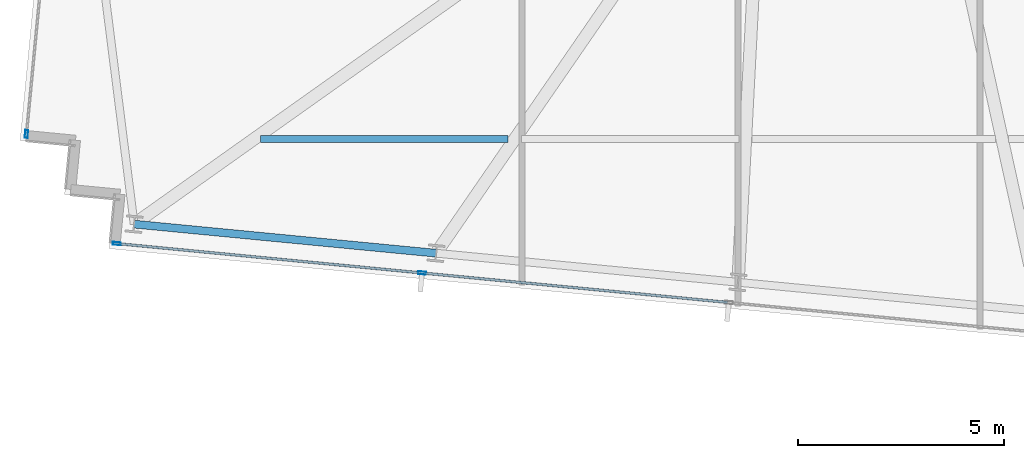
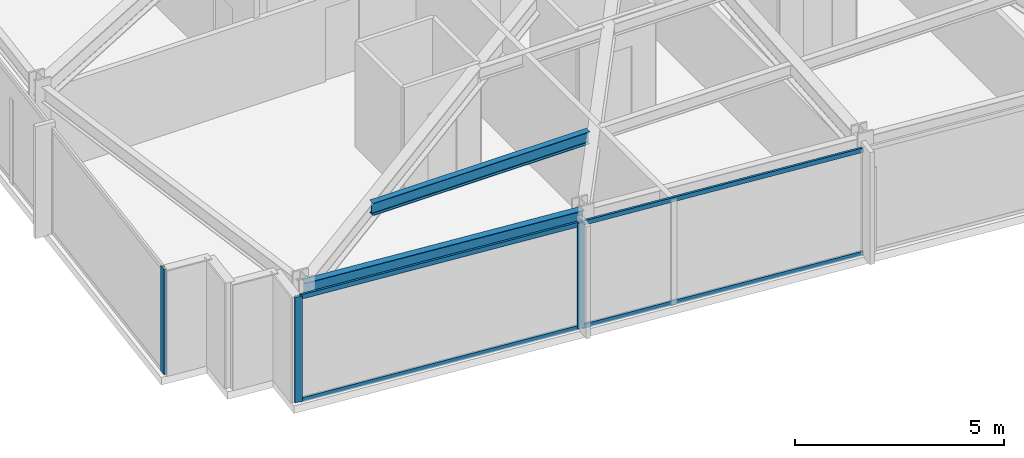
# One storey, part 2 of 37: 7 members, 2 beams, 2 elements without a shape of their own.
"""IFC4 building model written with IfcOpenShell, lengths in metres."""

from ifc_helpers import new_model, si_unit, direction, frame, origin, origin_2d, place, context, subcontext, project, spatial, hollow_rectangle, i_section, extrude, material, material_profile, profile_set, type_object, element, aggregate, save


model = new_model("IFC4")

# Units and contexts
model_context = context("Model", 3, precision=1e-05, world=origin(), true_north=direction((0.0, 1.0)))
body_context = subcontext(model_context, "Body", "Model", "MODEL_VIEW")
ifc_project = project(units=[si_unit("LENGTHUNIT", "METRE"), si_unit("AREAUNIT", "SQUARE_METRE"), si_unit("VOLUMEUNIT", "CUBIC_METRE"), si_unit("PLANEANGLEUNIT", "RADIAN"), si_unit("MASSUNIT", "GRAM", prefix="KILO")], contexts=[model_context])

# Site, building, storey
site_placement = place(None, origin())
site = spatial("IfcSite", under=ifc_project, at=site_placement, CompositionType="ELEMENT")
building_placement = place(site_placement, origin())
building = spatial("IfcBuilding", under=site, at=building_placement, Name="Yelkora Congress Tower", CompositionType="ELEMENT")
storey_placement = place(building_placement, frame((0.0, 0.0, 162.199951171875)))
storey = spatial("IfcBuildingStorey", under=building, at=storey_placement, Name="L44", CompositionType="ELEMENT", Elevation=162.199951171875)

# Beams
ifc_material_1 = material(Name="Steel S355J2", Category="steel")
ifc_material_profile_1 = material_profile(ifc_material_1, i_section(OverallWidth=0.169921875, OverallDepth=0.360107421875, WebThickness=0.008056640625, FlangeThickness=0.0126953125, FilletRadius=0.01806640625, at=origin_2d()), Name="IPE 360")
ifc_profile_set_1 = profile_set([ifc_material_profile_1], Name="Steel S355J2")
beam_type_1 = type_object("IfcBeamType", Name="BM-JOIST-IPE360", PredefinedType="JOIST", material=ifc_profile_set_1)
beam_1_placement = place(storey_placement, frame((6.98779296875, 16.421142578125, 2.900146484375), z_axis=(1.0, 0.0, 0.0), x_axis=(0.0, 1.0, 0.0)))
element("IfcBeam", 1, at=beam_1_placement, inside=storey, type_object=beam_type_1, Name="L44 Composite Floor Joist 5", PredefinedType="JOIST", context=body_context, shape_type="SweptSolid", body=[
    extrude(i_section(OverallWidth=0.169921875, OverallDepth=0.360107421875, WebThickness=0.008056640625, FlangeThickness=0.0126953125, FilletRadius=0.01806640625, at=origin_2d()), origin(), (0.0, 0.0, 1.0), 6.002685546875),
])
ifc_material_profile_2 = material_profile(ifc_material_1, i_section(OverallWidth=0.18994140625, OverallDepth=0.449951171875, WebThickness=0.009521484375, FlangeThickness=0.0146484375, FilletRadius=0.02099609375, at=origin_2d()), Name="IPE 450")
ifc_profile_set_2 = profile_set([ifc_material_profile_2], Name="Steel S355J2")
beam_type_2 = type_object("IfcBeamType", Name="BM-SPAN-IPE450", PredefinedType="SPANDREL", material=ifc_profile_set_2)
beam_2_placement = place(storey_placement, frame((3.919189453125, 14.357421875, 2.85498046875), z_axis=(0.995393938538, -0.095869218844, 0.0), x_axis=(0.095869218844, 0.995393938538, 0.0)))
element("IfcBeam", 2, at=beam_2_placement, inside=storey, type_object=beam_type_2, Name="L44 Perimeter Beam 2", PredefinedType="SPANDREL", context=body_context, shape_type="SweptSolid", body=[
    extrude(i_section(OverallWidth=0.18994140625, OverallDepth=0.449951171875, WebThickness=0.009521484375, FlangeThickness=0.0146484375, FilletRadius=0.02099609375, at=origin_2d()), origin(), (0.0, 0.0, 1.0), 7.357177734375),
])

# Curtain wall, member
ifc_material_2 = material(Name="Anodised aluminium and insulated glass", Category="aluminium")
curtain_wall_type = type_object("IfcCurtainWallType", Name="CW-SYS-B3", PredefinedType="NOTDEFINED", material=ifc_material_2)
curtain_wall_1_placement = place(storey_placement, origin())
curtain_wall_1 = element("IfcCurtainWall", 3, at=curtain_wall_1_placement, inside=storey, type_object=curtain_wall_type, Name="L44 Unitised Curtain Wall 5", PredefinedType="NOTDEFINED")
ifc_material_3 = material(Name="Anodised aluminium 6063-T6", Category="aluminium")
ifc_material_profile_3 = material_profile(ifc_material_3, hollow_rectangle(XDim=0.070068359375, YDim=0.18994140625, WallThickness=0.00390625, at=origin_2d()), Name="ALU 70x190x4")
ifc_profile_set_3 = profile_set([ifc_material_profile_3], Name="Anodised aluminium 6063-T6")
member_type_1 = type_object("IfcMemberType", Name="MEM-ML-B3", PredefinedType="MULLION", material=ifc_profile_set_3)
member_1_placement = place(storey_placement, frame((1.306640625, 16.542724609375, 0.0), z_axis=(0.0, 0.0, 1.0), x_axis=(-0.995396242473, 0.095845294465, 0.0)))
member_1 = element("IfcMember", 4, at=member_1_placement, type_object=member_type_1, Name="CW-B3 mullion 1", PredefinedType="MULLION", context=body_context, shape_type="SweptSolid", body=[
    extrude(hollow_rectangle(XDim=0.070068359375, YDim=0.18994140625, WallThickness=0.00390625, at=origin_2d()), origin(), (0.0, 0.0, 1.0), 3.080078125),
])
aggregate(curtain_wall_1, [member_1])

# Curtain wall, members
curtain_wall_2_placement = place(storey_placement, origin())
curtain_wall_2 = element("IfcCurtainWall", 5, at=curtain_wall_2_placement, inside=storey, type_object=curtain_wall_type, Name="L44 Unitised Curtain Wall 20", PredefinedType="NOTDEFINED")
member_2_placement = place(storey_placement, frame((10.902099609375, 13.172607421875, 0.0), z_axis=(0.0, 0.0, 1.0), x_axis=(-0.095844680679, -0.995396301573, 0.0)))
member_2 = element("IfcMember", 6, at=member_2_placement, type_object=member_type_1, Name="CW-B3 mullion 7", PredefinedType="MULLION", context=body_context, shape_type="SweptSolid", body=[
    extrude(hollow_rectangle(XDim=0.070068359375, YDim=0.18994140625, WallThickness=0.00390625, at=origin_2d()), origin(), (0.0, 0.0, 1.0), 3.080078125),
])
member_3_placement = place(storey_placement, frame((3.4970703125, 13.885498046875, 0.0), z_axis=(0.0, 0.0, 1.0), x_axis=(-0.095844680679, -0.995396301573, 0.0)))
member_3 = element("IfcMember", 7, at=member_3_placement, type_object=member_type_1, Name="CW-B3 mullion 8", PredefinedType="MULLION", context=body_context, shape_type="SweptSolid", body=[
    extrude(hollow_rectangle(XDim=0.070068359375, YDim=0.18994140625, WallThickness=0.00390625, at=origin_2d()), origin(), (0.0, 0.0, 1.0), 3.080078125),
])
ifc_material_profile_4 = material_profile(ifc_material_3, hollow_rectangle(XDim=0.06005859375, YDim=0.1298828125, WallThickness=0.00390625, at=origin_2d()), Name="ALU 60x130x4")
ifc_profile_set_4 = profile_set([ifc_material_profile_4], Name="Anodised aluminium 6063-T6")
member_type_2 = type_object("IfcMemberType", Name="MEM-TR-B3", PredefinedType="USERDEFINED", material=ifc_profile_set_4)
member_4_placement = place(storey_placement, frame((18.30712890625, 12.45947265625, 0.030029296875), z_axis=(-0.99539548672, 0.095853142967, 0.0), x_axis=(-0.095853142967, -0.99539548672, 0.0)))
member_4 = element("IfcMember", 8, at=member_4_placement, type_object=member_type_2, Name="CW-B3 transom 6.1", ObjectType="TRANSOM", PredefinedType="USERDEFINED", context=body_context, shape_type="SweptSolid", body=[
    extrude(hollow_rectangle(XDim=0.06005859375, YDim=0.1298828125, WallThickness=0.00390625, at=origin_2d()), origin(), (0.0, 0.0, 1.0), 7.404296875),
])
member_5_placement = place(storey_placement, frame((18.30712890625, 12.45947265625, 3.050048828125), z_axis=(-0.99539548672, 0.095853142967, 0.0), x_axis=(-0.095853142967, -0.99539548672, 0.0)))
member_5 = element("IfcMember", 9, at=member_5_placement, type_object=member_type_2, Name="CW-B3 transom 6.2", ObjectType="TRANSOM", PredefinedType="USERDEFINED", context=body_context, shape_type="SweptSolid", body=[
    extrude(hollow_rectangle(XDim=0.06005859375, YDim=0.1298828125, WallThickness=0.00390625, at=origin_2d()), origin(), (0.0, 0.0, 1.0), 7.404296875),
])
member_6_placement = place(storey_placement, frame((10.8671875, 13.17578125, 0.030029296875), z_axis=(-0.995396212442, 0.095845606344, 0.0), x_axis=(-0.095845606344, -0.995396212442, 0.0)))
member_6 = element("IfcMember", 10, at=member_6_placement, type_object=member_type_2, Name="CW-B3 transom 7.1", ObjectType="TRANSOM", PredefinedType="USERDEFINED", context=body_context, shape_type="SweptSolid", body=[
    extrude(hollow_rectangle(XDim=0.06005859375, YDim=0.1298828125, WallThickness=0.00390625, at=origin_2d()), origin(), (0.0, 0.0, 1.0), 7.369140625),
])
member_7_placement = place(storey_placement, frame((10.8671875, 13.17578125, 3.050048828125), z_axis=(-0.995396212442, 0.095845606344, 0.0), x_axis=(-0.095845606344, -0.995396212442, 0.0)))
member_7 = element("IfcMember", 11, at=member_7_placement, type_object=member_type_2, Name="CW-B3 transom 7.2", ObjectType="TRANSOM", PredefinedType="USERDEFINED", context=body_context, shape_type="SweptSolid", body=[
    extrude(hollow_rectangle(XDim=0.06005859375, YDim=0.1298828125, WallThickness=0.00390625, at=origin_2d()), origin(), (0.0, 0.0, 1.0), 7.369140625),
])
aggregate(curtain_wall_2, [member_2, member_3, member_4, member_5, member_6, member_7])

save(model, "model.ifc")
